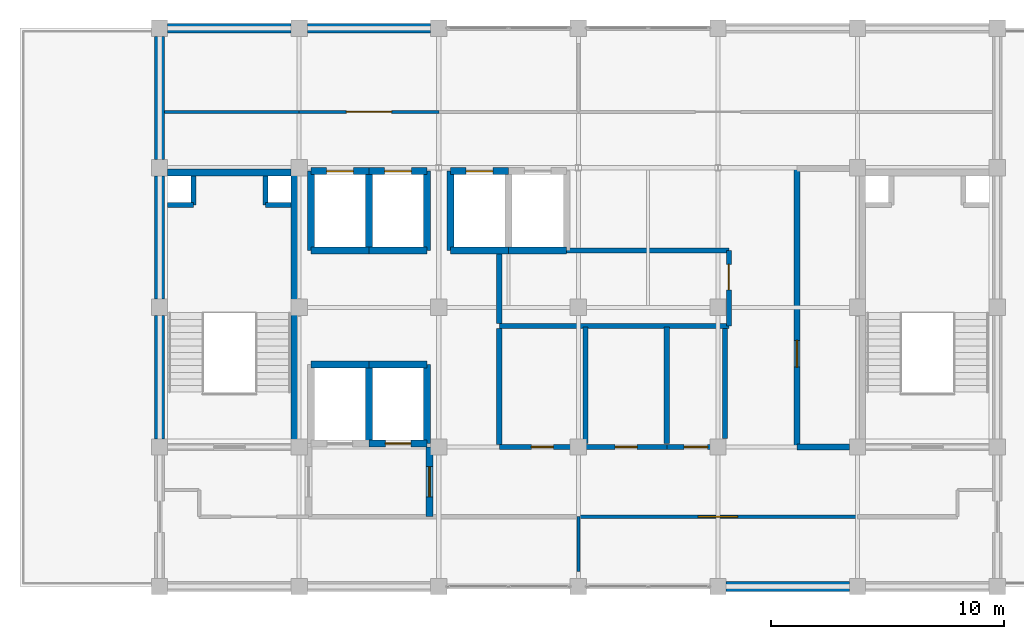
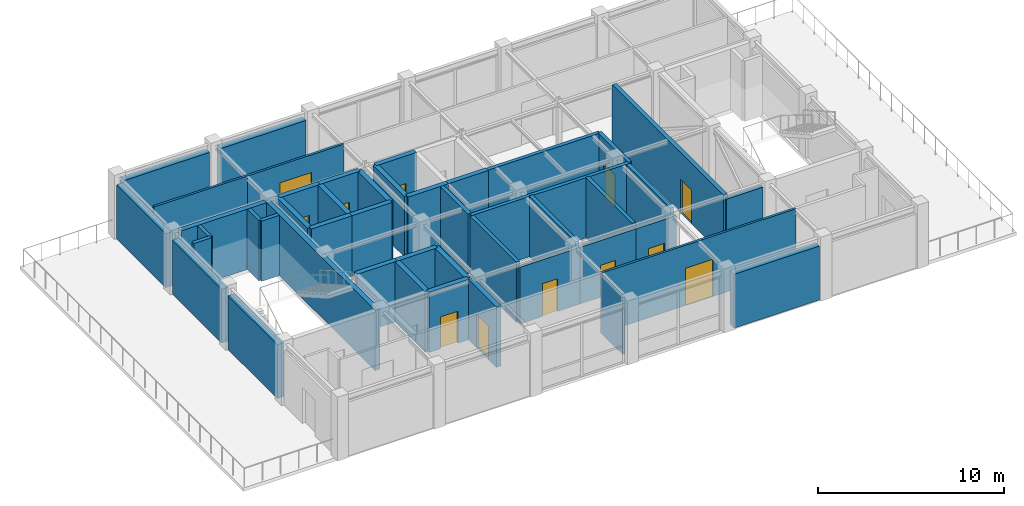
# One storey, part 12 of 14: 46 walls, 12 doors, 12 openings.
"""IFC4 building model written with IfcOpenShell, lengths in metres."""

from ifc_helpers import new_model, si_unit, direction, frame, frame_2d, origin, place, context, subcontext, project, spatial, rectangle, extrude, material, layer, layer_set, type_object, element, fill, save


model = new_model("IFC4")

# Units and contexts
model_context = context("Model", 3, precision=1e-05, world=origin(), true_north=direction((0.0, 1.0)))
body_context = subcontext(model_context, "Body", "Model", "MODEL_VIEW")
ifc_project = project(units=[si_unit("LENGTHUNIT", "METRE"), si_unit("AREAUNIT", "SQUARE_METRE"), si_unit("VOLUMEUNIT", "CUBIC_METRE"), si_unit("PLANEANGLEUNIT", "RADIAN"), si_unit("MASSUNIT", "GRAM", prefix="KILO")], contexts=[model_context])

# Site, building, storey
site_placement = place(None, origin())
site = spatial("IfcSite", under=ifc_project, at=site_placement, CompositionType="ELEMENT")
building_placement = place(site_placement, origin())
building = spatial("IfcBuilding", under=site, at=building_placement, Name="Zlatovratsky Civic Hall", CompositionType="ELEMENT")
storey_placement = place(building_placement, frame((0.0, 0.0, 67.800048828125)))
storey = spatial("IfcBuildingStorey", under=building, at=storey_placement, Name="L17", CompositionType="ELEMENT", Elevation=67.800048828125)

# Wall, opening, door
ifc_material_1 = material(Name="Acoustic ceramic blockwork", Category="masonry")
ifc_layer_1 = layer(ifc_material_1, 0.260009765625)
ifc_layer_set_1 = layer_set([ifc_layer_1], Name="Acoustic ceramic blockwork")
wall_type_1 = type_object("IfcWallType", Name="Wall_ArchiveCompartment_260", PredefinedType="PARTITIONING", material=ifc_layer_set_1)
wall_1_placement = place(storey_placement, frame((93.39990234375, 84.0, 0.0), z_axis=(0.0, 0.0, 1.0), x_axis=(0.0, 1.0, 0.0)))
wall_1 = element("IfcWall", 1, at=wall_1_placement, inside=storey, type_object=wall_type_1, Name="WL-6780", PredefinedType="PARTITIONING", context=body_context, shape_type="SweptSolid", body=[
    extrude(rectangle(XDim=11.9599609375, YDim=0.260009765625, at=frame_2d((5.97998046875, 0.0))), origin(), (0.0, 0.0, 1.0), 3.9599609375),
])
opening_1_placement = place(wall_1_placement, frame((3.425048828125, 0.0, 0.0)))
opening_1 = element("IfcOpeningElement", 2, at=opening_1_placement, cuts=wall_1, Name="Opening D-31", PredefinedType="OPENING", context=body_context, shape_type="SweptSolid", body=[
    extrude(rectangle(XDim=1.14990234375, YDim=2.199951171875, at=frame_2d((0.574951171875, 1.10009765625))), frame((0.0, 0.14501953125, 0.0), z_axis=(0.0, -1.0, 0.0), x_axis=(1.0, 0.0, 0.0)), (0.0, 0.0, 1.0), 0.289794921875),
])
ifc_material_2 = material(Name="Insulated painted fire-rated steel leaf", Category="steel")
door_type_1 = type_object("IfcDoorType", Name="Door_RecordsVault_1150x2200", OperationType="NOTDEFINED", PredefinedType="DOOR", material=ifc_material_2)
door_1_placement = place(opening_1_placement, origin())
door_1 = element("IfcDoor", 3, at=door_1_placement, inside=storey, type_object=door_type_1, Name="DR-5555", OperationType="SINGLE_SWING_LEFT", OverallHeight=2.199951171875, OverallWidth=1.14990234375, PredefinedType="DOOR", context=body_context, shape_type="SweptSolid", body=[
    extrude(rectangle(XDim=1.14990234375, YDim=2.199951171875, at=frame_2d((0.574951171875, 1.10009765625))), frame((0.0, 0.02490234375, 0.0), z_axis=(0.0, -1.0, 0.0), x_axis=(1.0, 0.0, 0.0)), (0.0, 0.0, 1.0), 0.050048828125),
])
fill(opening_1, door_1)

# Wall
wall_2_placement = place(storey_placement, frame((93.39990234375, 84.0, 0.0), z_axis=(0.0, 0.0, 1.0), x_axis=(1.0, 0.0, 0.0)))
element("IfcWall", 4, at=wall_2_placement, inside=storey, type_object=wall_type_1, Name="WL-6781", PredefinedType="PARTITIONING", context=body_context, shape_type="SweptSolid", body=[
    extrude(rectangle(XDim=2.25, YDim=0.260009765625, at=frame_2d((1.125, 0.0))), origin(), (0.0, 0.0, 1.0), 3.716064453125),
])

# Wall, opening, door
ifc_material_3 = material(Name="Fire-rated gypsum board framing", Category="gypsum")
ifc_layer_2 = layer(ifc_material_3, 0.139892578125)
ifc_layer_set_2 = layer_set([ifc_layer_2], Name="Fire-rated gypsum board framing")
wall_type_2 = type_object("IfcWallType", Name="Wall_OfficePartition_140", PredefinedType="PARTITIONING", material=ifc_layer_set_2)
wall_3_placement = place(storey_placement, frame((84.0, 81.0, 0.0), z_axis=(0.0, 0.0, 1.0), x_axis=(1.0, 0.0, 0.0)))
wall_3 = element("IfcWall", 5, at=wall_3_placement, inside=storey, type_object=wall_type_2, Name="WL-6793", PredefinedType="PARTITIONING", context=body_context, shape_type="SweptSolid", body=[
    extrude(rectangle(XDim=12.0, YDim=0.139892578125, at=frame_2d((6.0, 0.0))), origin(), (0.0, 0.0, 1.0), 3.9599609375),
])
opening_2_placement = place(wall_3_placement, frame((5.14990234375, 0.0, 0.0)))
opening_2 = element("IfcOpeningElement", 6, at=opening_2_placement, cuts=wall_3, Name="Opening D-26", PredefinedType="OPENING", context=body_context, shape_type="SweptSolid", body=[
    extrude(rectangle(XDim=1.699951171875, YDim=2.449951171875, at=frame_2d((0.85009765625, 1.22509765625))), frame((0.0, 0.0849609375, 0.0), z_axis=(0.0, -1.0, 0.0), x_axis=(1.0, 0.0, 0.0)), (0.0, 0.0, 1.0), 0.169677734375),
])
ifc_material_4 = material(Name="Solid oak joinery in steel frame", Category="steel")
door_type_2 = type_object("IfcDoorType", Name="Door_CommissionBoardroom_1700x2450", OperationType="DOUBLE_DOOR_SINGLE_SWING", PredefinedType="DOOR", material=ifc_material_4)
door_2_placement = place(opening_2_placement, origin())
door_2 = element("IfcDoor", 7, at=door_2_placement, inside=storey, type_object=door_type_2, Name="DR-5563", OperationType="DOUBLE_DOOR_SINGLE_SWING", OverallHeight=2.449951171875, OverallWidth=1.699951171875, PredefinedType="DOOR", context=body_context, shape_type="SweptSolid", body=[
    extrude(rectangle(XDim=1.699951171875, YDim=2.449951171875, at=frame_2d((0.85009765625, 1.22509765625))), frame((0.0, 0.02490234375, 0.0), z_axis=(0.0, -1.0, 0.0), x_axis=(1.0, 0.0, 0.0)), (0.0, 0.0, 1.0), 0.050048828125),
])
fill(opening_2, door_2)

wall_4_placement = place(storey_placement, frame((72.0, 98.39990234375, 0.0), z_axis=(0.0, 0.0, 1.0), x_axis=(1.0, 0.0, 0.0)))
wall_4 = element("IfcWall", 8, at=wall_4_placement, inside=storey, type_object=wall_type_2, Name="WL-6794", PredefinedType="PARTITIONING", context=body_context, shape_type="SweptSolid", body=[
    extrude(rectangle(XDim=6.0, YDim=0.139892578125, at=frame_2d((3.0, 0.0))), origin(), (0.0, 0.0, 1.0), 3.9599609375),
])
opening_3_placement = place(wall_4_placement, frame((2.02490234375, 0.0, 0.0)))
opening_3 = element("IfcOpeningElement", 9, at=opening_3_placement, cuts=wall_4, Name="Opening D-27", PredefinedType="OPENING", context=body_context, shape_type="SweptSolid", body=[
    extrude(rectangle(XDim=1.949951171875, YDim=2.800048828125, at=frame_2d((0.97509765625, 1.39990234375))), frame((0.0, 0.0849609375, 0.0), z_axis=(0.0, -1.0, 0.0), x_axis=(1.0, 0.0, 0.0)), (0.0, 0.0, 1.0), 0.169677734375),
])
door_type_3 = type_object("IfcDoorType", Name="Door_MayoralCabinet_1950x2800", OperationType="DOUBLE_DOOR_SINGLE_SWING", PredefinedType="DOOR", material=ifc_material_4)
door_3_placement = place(opening_3_placement, origin())
door_3 = element("IfcDoor", 10, at=door_3_placement, inside=storey, type_object=door_type_3, Name="DR-5564", OperationType="DOUBLE_DOOR_SINGLE_SWING", OverallHeight=2.800048828125, OverallWidth=1.949951171875, PredefinedType="DOOR", context=body_context, shape_type="SweptSolid", body=[
    extrude(rectangle(XDim=1.949951171875, YDim=2.800048828125, at=frame_2d((0.97509765625, 1.39990234375))), frame((0.0, 0.02490234375, 0.0), z_axis=(0.0, -1.0, 0.0), x_axis=(1.0, 0.0, 0.0)), (0.0, 0.0, 1.0), 0.050048828125),
])
fill(opening_3, door_3)

# Walls
wall_5_placement = place(storey_placement, frame((84.0, 78.64990234375, 0.0), z_axis=(0.0, 0.0, 1.0), x_axis=(0.0, 1.0, 0.0)))
element("IfcWall", 11, at=wall_5_placement, inside=storey, type_object=wall_type_2, Name="WL-6796", PredefinedType="PARTITIONING", context=body_context, shape_type="SweptSolid", body=[
    extrude(rectangle(XDim=2.35009765625, YDim=0.139892578125, at=frame_2d((1.175048828125, 0.0))), origin(), (0.0, 0.0, 1.0), 3.716064453125),
])
wall_6_placement = place(storey_placement, frame((66.2099609375, 98.39990234375, 0.0), z_axis=(0.0, 0.0, 1.0), x_axis=(1.0, 0.0, 0.0)))
element("IfcWall", 12, at=wall_6_placement, inside=storey, type_object=wall_type_2, Name="WL-6808", PredefinedType="PARTITIONING", context=body_context, shape_type="SweptSolid", body=[
    extrude(rectangle(XDim=5.7900390625, YDim=0.139892578125, at=frame_2d((2.89501953125, 0.0))), origin(), (0.0, 0.0, 1.0), 3.9599609375),
])
ifc_layer_3 = layer(ifc_material_1, 0.219970703125)
ifc_layer_set_3 = layer_set([ifc_layer_3], Name="Acoustic ceramic blockwork")
wall_type_3 = type_object("IfcWallType", Name="Wall_SanitaryWetCore_220", PredefinedType="PARTITIONING", material=ifc_layer_set_3)
wall_7_placement = place(storey_placement, frame((67.449951171875, 94.39990234375, 0.0), z_axis=(0.0, 0.0, 1.0), x_axis=(0.0, 1.0, 0.0)))
element("IfcWall", 13, at=wall_7_placement, inside=storey, type_object=wall_type_3, Name="WL-5140", PredefinedType="PARTITIONING", context=body_context, shape_type="SweptSolid", body=[
    extrude(rectangle(XDim=1.25, YDim=0.219970703125, at=frame_2d((0.625, 0.0))), origin(), (0.0, 0.0, 1.0), 3.9599609375),
])
wall_8_placement = place(storey_placement, frame((66.35009765625, 94.39990234375, 0.0), z_axis=(0.0, 0.0, 1.0), x_axis=(1.0, 0.0, 0.0)))
element("IfcWall", 14, at=wall_8_placement, inside=storey, type_object=wall_type_3, Name="WL-5141", PredefinedType="PARTITIONING", context=body_context, shape_type="SweptSolid", body=[
    extrude(rectangle(XDim=1.099853515625, YDim=0.219970703125, at=frame_2d((0.5498046875, 0.0))), origin(), (0.0, 0.0, 1.0), 3.9599609375),
])
wall_9_placement = place(storey_placement, frame((70.550048828125, 94.39990234375, 0.0), z_axis=(0.0, 0.0, 1.0), x_axis=(0.0, 1.0, 0.0)))
element("IfcWall", 15, at=wall_9_placement, inside=storey, type_object=wall_type_3, Name="WL-5142", PredefinedType="PARTITIONING", context=body_context, shape_type="SweptSolid", body=[
    extrude(rectangle(XDim=1.25, YDim=0.219970703125, at=frame_2d((0.625, 0.0))), origin(), (0.0, 0.0, 1.0), 3.9599609375),
])
wall_10_placement = place(storey_placement, frame((70.550048828125, 94.39990234375, 0.0), z_axis=(0.0, 0.0, 1.0), x_axis=(1.0, 0.0, 0.0)))
element("IfcWall", 16, at=wall_10_placement, inside=storey, type_object=wall_type_3, Name="WL-5143", PredefinedType="PARTITIONING", context=body_context, shape_type="SweptSolid", body=[
    extrude(rectangle(XDim=1.099853515625, YDim=0.219970703125, at=frame_2d((0.5498046875, 0.0))), origin(), (0.0, 0.0, 1.0), 3.9599609375),
])

# Wall, opening, door
wall_11_placement = place(storey_placement, frame((80.60009765625, 84.0, 0.0), z_axis=(0.0, 0.0, 1.0), x_axis=(1.0, 0.0, 0.0)))
wall_11 = element("IfcWall", 17, at=wall_11_placement, inside=storey, type_object=wall_type_3, Name="WL-6785", PredefinedType="PARTITIONING", context=body_context, shape_type="SweptSolid", body=[
    extrude(rectangle(XDim=3.699951171875, YDim=0.219970703125, at=frame_2d((1.85009765625, 0.0))), origin(), (0.0, 0.0, 1.0), 3.716064453125),
])
opening_4_placement = place(wall_11_placement, frame((1.375, 0.0, 0.0)))
opening_4 = element("IfcOpeningElement", 18, at=opening_4_placement, cuts=wall_11, Name="Opening D-21", PredefinedType="OPENING", context=body_context, shape_type="SweptSolid", body=[
    extrude(rectangle(XDim=0.949951171875, YDim=2.14990234375, at=frame_2d((0.47509765625, 1.074951171875))), frame((0.0, 0.125, 0.0), z_axis=(0.0, -1.0, 0.0), x_axis=(1.0, 0.0, 0.0)), (0.0, 0.0, 1.0), 0.249755859375),
])
door_type_4 = type_object("IfcDoorType", Name="Door_MensWC_950x2150", OperationType="NOTDEFINED", PredefinedType="DOOR", material=ifc_material_4)
door_4_placement = place(opening_4_placement, origin())
door_4 = element("IfcDoor", 19, at=door_4_placement, inside=storey, type_object=door_type_4, Name="DR-5558", OperationType="SINGLE_SWING_LEFT", OverallHeight=2.14990234375, OverallWidth=0.949951171875, PredefinedType="DOOR", context=body_context, shape_type="SweptSolid", body=[
    extrude(rectangle(XDim=0.949951171875, YDim=2.14990234375, at=frame_2d((0.47509765625, 1.074951171875))), frame((0.0, 0.02490234375, 0.0), z_axis=(0.0, -1.0, 0.0), x_axis=(1.0, 0.0, 0.0)), (0.0, 0.0, 1.0), 0.050048828125),
])
fill(opening_4, door_4)

wall_12_placement = place(storey_placement, frame((84.300048828125, 84.0, 0.0), z_axis=(0.0, 0.0, 1.0), x_axis=(1.0, 0.0, 0.0)))
wall_12 = element("IfcWall", 20, at=wall_12_placement, inside=storey, type_object=wall_type_3, Name="WL-6786", PredefinedType="PARTITIONING", context=body_context, shape_type="SweptSolid", body=[
    extrude(rectangle(XDim=3.5, YDim=0.219970703125, at=frame_2d((1.75, 0.0))), origin(), (0.0, 0.0, 1.0), 3.716064453125),
])
opening_5_placement = place(wall_12_placement, frame((1.27490234375, 0.0, 0.0)))
opening_5 = element("IfcOpeningElement", 21, at=opening_5_placement, cuts=wall_12, Name="Opening D-22", PredefinedType="OPENING", context=body_context, shape_type="SweptSolid", body=[
    extrude(rectangle(XDim=0.949951171875, YDim=2.10009765625, at=frame_2d((0.47509765625, 1.050048828125))), frame((0.0, 0.125, 0.0), z_axis=(0.0, -1.0, 0.0), x_axis=(1.0, 0.0, 0.0)), (0.0, 0.0, 1.0), 0.249755859375),
])
door_type_5 = type_object("IfcDoorType", Name="Door_WomensWC_950x2100", OperationType="NOTDEFINED", PredefinedType="DOOR", material=ifc_material_4)
door_5_placement = place(opening_5_placement, origin())
door_5 = element("IfcDoor", 22, at=door_5_placement, inside=storey, type_object=door_type_5, Name="DR-5559", OperationType="SINGLE_SWING_RIGHT", OverallHeight=2.10009765625, OverallWidth=0.949951171875, PredefinedType="DOOR", context=body_context, shape_type="SweptSolid", body=[
    extrude(rectangle(XDim=0.949951171875, YDim=2.10009765625, at=frame_2d((0.47509765625, 1.050048828125))), frame((0.0, 0.02490234375, 0.0), z_axis=(0.0, -1.0, 0.0), x_axis=(1.0, 0.0, 0.0)), (0.0, 0.0, 1.0), 0.050048828125),
])
fill(opening_5, door_5)

wall_13_placement = place(storey_placement, frame((87.800048828125, 84.0, 0.0), z_axis=(0.0, 0.0, 1.0), x_axis=(1.0, 0.0, 0.0)))
wall_13 = element("IfcWall", 23, at=wall_13_placement, inside=storey, type_object=wall_type_3, Name="WL-6787", PredefinedType="PARTITIONING", context=body_context, shape_type="SweptSolid", body=[
    extrude(rectangle(XDim=2.5, YDim=0.219970703125, at=frame_2d((1.25, 0.0))), origin(), (0.0, 0.0, 1.0), 3.716064453125),
])
opening_6_placement = place(wall_13_placement, frame((0.75, 0.0, 0.0)))
opening_6 = element("IfcOpeningElement", 24, at=opening_6_placement, cuts=wall_13, Name="Opening D-20", PredefinedType="OPENING", context=body_context, shape_type="SweptSolid", body=[
    extrude(rectangle(XDim=1.0, YDim=2.14990234375, at=frame_2d((0.5, 1.074951171875))), frame((0.0, 0.125, 0.0), z_axis=(0.0, -1.0, 0.0), x_axis=(1.0, 0.0, 0.0)), (0.0, 0.0, 1.0), 0.249755859375),
])
door_type_6 = type_object("IfcDoorType", Name="Door_AccessibleWC_1000x2150", OperationType="NOTDEFINED", PredefinedType="DOOR", material=ifc_material_4)
door_6_placement = place(opening_6_placement, origin())
door_6 = element("IfcDoor", 25, at=door_6_placement, inside=storey, type_object=door_type_6, Name="DR-5560", OperationType="SINGLE_SWING_LEFT", OverallHeight=2.14990234375, OverallWidth=1.0, PredefinedType="DOOR", context=body_context, shape_type="SweptSolid", body=[
    extrude(rectangle(XDim=1.0, YDim=2.14990234375, at=frame_2d((0.5, 1.074951171875))), frame((0.0, 0.02490234375, 0.0), z_axis=(0.0, -1.0, 0.0), x_axis=(1.0, 0.0, 0.0)), (0.0, 0.0, 1.0), 0.050048828125),
])
fill(opening_6, door_6)

# Walls
for number, where, z_axis, x_axis, name in (
    (26, (84.300048828125, 84.14990234375, 0.0), (0.0, 0.0, 1.0), (0.0, 1.0, 0.0), "WL-6788"),
    (27, (87.800048828125, 84.14990234375, 0.0), (0.0, 0.0, 1.0), (0.0, 1.0, 0.0), "WL-6789"),
):
    element("IfcWall", number, at=place(storey_placement, frame(where, z_axis=z_axis, x_axis=x_axis)), inside=storey, type_object=wall_type_3, Name=name, PredefinedType="PARTITIONING", context=body_context, shape_type="SweptSolid", body=[
        extrude(rectangle(XDim=5.0, YDim=0.219970703125, at=frame_2d((2.5, 0.0))), origin(), (0.0, 0.0, 1.0), 3.9599609375),
    ])
wall_14_placement = place(storey_placement, frame((80.60009765625, 89.199951171875, 0.0), z_axis=(0.0, 0.0, 1.0), x_axis=(1.0, 0.0, 0.0)))
element("IfcWall", 28, at=wall_14_placement, inside=storey, type_object=wall_type_3, Name="WL-6790", PredefinedType="PARTITIONING", context=body_context, shape_type="SweptSolid", body=[
    extrude(rectangle(XDim=9.869873046875, YDim=0.219970703125, at=frame_2d((4.93505859375, 0.0))), origin(), (0.0, 0.0, 1.0), 3.9599609375),
])

# Wall, opening, door
wall_15_placement = place(storey_placement, frame((90.469970703125, 89.199951171875, 0.0), z_axis=(0.0, 0.0, 1.0), x_axis=(0.0, 1.0, 0.0)))
wall_15 = element("IfcWall", 29, at=wall_15_placement, inside=storey, type_object=wall_type_3, Name="WL-6791", PredefinedType="PARTITIONING", context=body_context, shape_type="SweptSolid", body=[
    extrude(rectangle(XDim=3.25, YDim=0.219970703125, at=frame_2d((1.625, 0.0))), origin(), (0.0, 0.0, 1.0), 3.9599609375),
])
opening_7_placement = place(wall_15_placement, frame((1.550048828125, 0.0, 0.0)))
opening_7 = element("IfcOpeningElement", 30, at=opening_7_placement, cuts=wall_15, Name="Opening D-30", PredefinedType="OPENING", context=body_context, shape_type="SweptSolid", body=[
    extrude(rectangle(XDim=1.10009765625, YDim=2.14990234375, at=frame_2d((0.550048828125, 1.074951171875))), frame((0.0, 0.125, 0.0), z_axis=(0.0, -1.0, 0.0), x_axis=(1.0, 0.0, 0.0)), (0.0, 0.0, 1.0), 0.249755859375),
])
door_type_7 = type_object("IfcDoorType", Name="Door_ElectricalRoom_1100x2150", OperationType="NOTDEFINED", PredefinedType="DOOR", material=ifc_material_2)
door_7_placement = place(opening_7_placement, origin())
door_7 = element("IfcDoor", 31, at=door_7_placement, inside=storey, type_object=door_type_7, Name="DR-5561", OperationType="SINGLE_SWING_RIGHT", OverallHeight=2.14990234375, OverallWidth=1.10009765625, PredefinedType="DOOR", context=body_context, shape_type="SweptSolid", body=[
    extrude(rectangle(XDim=1.10009765625, YDim=2.14990234375, at=frame_2d((0.550048828125, 1.074951171875))), frame((0.0, 0.02490234375, 0.0), z_axis=(0.0, -1.0, 0.0), x_axis=(1.0, 0.0, 0.0)), (0.0, 0.0, 1.0), 0.050048828125),
])
fill(opening_7, door_7)

# Walls
wall_16_placement = place(storey_placement, frame((80.60009765625, 84.110107421875, 0.0), z_axis=(0.0, 0.0, 1.0), x_axis=(0.0, 1.0, 0.0)))
element("IfcWall", 32, at=wall_16_placement, inside=storey, type_object=wall_type_3, Name="WL-6798", PredefinedType="PARTITIONING", context=body_context, shape_type="SweptSolid", body=[
    extrude(rectangle(XDim=4.97998046875, YDim=0.219970703125, at=frame_2d((2.489990234375, 0.0))), origin(), (0.0, 0.0, 1.0), 3.9599609375),
])
wall_17_placement = place(storey_placement, frame((90.300048828125, 84.360107421875, 0.0), z_axis=(0.0, 0.0, 1.0), x_axis=(0.0, 1.0, 0.0)))
element("IfcWall", 33, at=wall_17_placement, inside=storey, type_object=wall_type_3, Name="WL-6799", PredefinedType="PARTITIONING", context=body_context, shape_type="SweptSolid", body=[
    extrude(rectangle(XDim=4.72998046875, YDim=0.219970703125, at=frame_2d((2.364990234375, 0.0))), origin(), (0.0, 0.0, 1.0), 3.9599609375),
])
wall_18_placement = place(storey_placement, frame((80.60009765625, 89.31005859375, 0.0), z_axis=(0.0, 0.0, 1.0), x_axis=(0.0, 1.0, 0.0)))
element("IfcWall", 34, at=wall_18_placement, inside=storey, type_object=wall_type_3, Name="WL-6800", PredefinedType="PARTITIONING", context=body_context, shape_type="SweptSolid", body=[
    extrude(rectangle(XDim=2.989990234375, YDim=0.219970703125, at=frame_2d((1.4951171875, 0.0))), origin(), (0.0, 0.0, 1.0), 3.9599609375),
])
wall_19_placement = place(storey_placement, frame((83.5, 92.449951171875, 0.0), z_axis=(0.0, 0.0, 1.0), x_axis=(1.0, 0.0, 0.0)))
element("IfcWall", 35, at=wall_19_placement, inside=storey, type_object=wall_type_3, Name="WL-6801", PredefinedType="PARTITIONING", context=body_context, shape_type="SweptSolid", body=[
    extrude(rectangle(XDim=6.969970703125, YDim=0.219970703125, at=frame_2d((3.48486328125, 0.0))), origin(), (0.0, 0.0, 1.0), 3.9599609375),
])
ifc_material_5 = material(Name="Concrete C35/45 (B40)", Category="concrete")
ifc_layer_4 = layer(ifc_material_5, 0.300048828125)
ifc_layer_set_4 = layer_set([ifc_layer_4], Name="Concrete C35/45 (B40)")
wall_type_4 = type_object("IfcWallType", Name="Wall_StairAndLiftShaft_300", PredefinedType="SHEAR", material=ifc_layer_set_4)
wall_20_placement = place(storey_placement, frame((66.35009765625, 95.800048828125, 0.0), z_axis=(0.0, 0.0, 1.0), x_axis=(1.0, 0.0, 0.0)))
element("IfcWall", 36, at=wall_20_placement, inside=storey, type_object=wall_type_4, Name="WL-5138", PredefinedType="SHEAR", context=body_context, shape_type="SweptSolid", body=[
    extrude(rectangle(XDim=5.2998046875, YDim=0.300048828125, at=frame_2d((2.64990234375, 0.0))), origin(), (0.0, 0.0, 1.0), 3.9599609375),
])
wall_21_placement = place(storey_placement, frame((71.800048828125, 84.0, 0.0), z_axis=(0.0, 0.0, 1.0), x_axis=(0.0, 1.0, 0.0)))
element("IfcWall", 37, at=wall_21_placement, inside=storey, type_object=wall_type_4, Name="WL-5139", PredefinedType="SHEAR", context=body_context, shape_type="SweptSolid", body=[
    extrude(rectangle(XDim=11.800048828125, YDim=0.300048828125, at=frame_2d((5.89990234375, 0.0))), origin(), (0.0, 0.0, 1.0), 3.9599609375),
])
wall_22_placement = place(storey_placement, frame((72.5, 87.550048828125, 0.0), z_axis=(0.0, 0.0, 1.0), x_axis=(1.0, 0.0, 0.0)))
element("IfcWall", 38, at=wall_22_placement, inside=storey, type_object=wall_type_4, Name="WL-5545", PredefinedType="SHEAR", context=body_context, shape_type="SweptSolid", body=[
    extrude(rectangle(XDim=2.5, YDim=0.300048828125, at=frame_2d((1.25, 0.0))), origin(), (0.0, 0.0, 1.0), 3.9599609375),
])

# Wall, opening, door
wall_23_placement = place(storey_placement, frame((75.0, 84.14990234375, 0.0), z_axis=(0.0, 0.0, 1.0), x_axis=(1.0, 0.0, 0.0)))
wall_23 = element("IfcWall", 39, at=wall_23_placement, inside=storey, type_object=wall_type_4, Name="WL-5618", PredefinedType="SHEAR", context=body_context, shape_type="SweptSolid", body=[
    extrude(rectangle(XDim=2.5, YDim=0.300048828125, at=frame_2d((1.25, 0.0))), origin(), (0.0, 0.0, 1.0), 3.9599609375),
])
opening_8_placement = place(wall_23_placement, frame((0.699951171875, 0.0, 0.0)))
opening_8 = element("IfcOpeningElement", 40, at=opening_8_placement, cuts=wall_23, Name="Opening LD-01", PredefinedType="OPENING", context=body_context, shape_type="SweptSolid", body=[
    extrude(rectangle(XDim=1.10009765625, YDim=2.10009765625, at=frame_2d((0.550048828125, 1.050048828125))), frame((0.0, 0.1650390625, 0.0), z_axis=(0.0, -1.0, 0.0), x_axis=(1.0, 0.0, 0.0)), (0.0, 0.0, 1.0), 0.329833984375),
])
ifc_material_6 = material(Name="Brushed stainless steel AISI 304", Category="steel")
door_type_8 = type_object("IfcDoorType", Name="Door_LiftLandingFire_1100x2100", OperationType="DOUBLE_DOOR_SLIDING", PredefinedType="DOOR", material=ifc_material_6)
door_8_placement = place(opening_8_placement, origin())
door_8 = element("IfcDoor", 41, at=door_8_placement, inside=storey, type_object=door_type_8, Name="Lift landing door LD-5095", OperationType="DOUBLE_DOOR_SLIDING", OverallHeight=2.10009765625, OverallWidth=1.10009765625, PredefinedType="DOOR", context=body_context, shape_type="SweptSolid", body=[
    extrude(rectangle(XDim=1.10009765625, YDim=2.10009765625, at=frame_2d((0.550048828125, 1.050048828125))), frame((0.0, 0.02490234375, 0.0), z_axis=(0.0, -1.0, 0.0), x_axis=(1.0, 0.0, 0.0)), (0.0, 0.0, 1.0), 0.050048828125),
])
fill(opening_8, door_8)

# Walls
wall_24_placement = place(storey_placement, frame((75.0, 87.550048828125, 0.0), z_axis=(0.0, 0.0, 1.0), x_axis=(1.0, 0.0, 0.0)))
element("IfcWall", 42, at=wall_24_placement, inside=storey, type_object=wall_type_4, Name="WL-5619", PredefinedType="SHEAR", context=body_context, shape_type="SweptSolid", body=[
    extrude(rectangle(XDim=2.5, YDim=0.300048828125, at=frame_2d((1.25, 0.0))), origin(), (0.0, 0.0, 1.0), 3.9599609375),
])
for number, where, z_axis, x_axis, name in (
    (43, (75.0, 84.14990234375, 0.0), (0.0, 0.0, 1.0), (0.0, 1.0, 0.0), "WL-5620"),
    (44, (77.5, 84.14990234375, 0.0), (0.0, 0.0, 1.0), (0.0, 1.0, 0.0), "WL-5621"),
):
    element("IfcWall", number, at=place(storey_placement, frame(where, z_axis=z_axis, x_axis=x_axis)), inside=storey, type_object=wall_type_4, Name=name, PredefinedType="SHEAR", context=body_context, shape_type="SweptSolid", body=[
        extrude(rectangle(XDim=3.400146484375, YDim=0.300048828125, at=frame_2d((1.7001953125, 0.0))), origin(), (0.0, 0.0, 1.0), 3.9599609375),
    ])

# Wall, opening, door
wall_25_placement = place(storey_placement, frame((72.5, 95.85009765625, 0.0), z_axis=(0.0, 0.0, 1.0), x_axis=(1.0, 0.0, 0.0)))
wall_25 = element("IfcWall", 45, at=wall_25_placement, inside=storey, type_object=wall_type_4, Name="WL-5677", PredefinedType="SHEAR", context=body_context, shape_type="SweptSolid", body=[
    extrude(rectangle(XDim=2.5, YDim=0.300048828125, at=frame_2d((1.25, 0.0))), origin(), (0.0, 0.0, 1.0), 3.9599609375),
])
opening_9_placement = place(wall_25_placement, frame((0.675048828125, 0.0, 0.0)))
opening_9 = element("IfcOpeningElement", 46, at=opening_9_placement, cuts=wall_25, Name="Opening LD-02", PredefinedType="OPENING", context=body_context, shape_type="SweptSolid", body=[
    extrude(rectangle(XDim=1.14990234375, YDim=2.14990234375, at=frame_2d((0.574951171875, 1.074951171875))), frame((0.0, 0.1650390625, 0.0), z_axis=(0.0, -1.0, 0.0), x_axis=(1.0, 0.0, 0.0)), (0.0, 0.0, 1.0), 0.329833984375),
])
door_type_9 = type_object("IfcDoorType", Name="Door_LiftLandingHighRise_1150x2150", OperationType="DOUBLE_DOOR_SLIDING", PredefinedType="DOOR", material=ifc_material_6)
door_9_placement = place(opening_9_placement, origin())
door_9 = element("IfcDoor", 47, at=door_9_placement, inside=storey, type_object=door_type_9, Name="Lift landing door LD-5114", OperationType="DOUBLE_DOOR_SLIDING", OverallHeight=2.14990234375, OverallWidth=1.14990234375, PredefinedType="DOOR", context=body_context, shape_type="SweptSolid", body=[
    extrude(rectangle(XDim=1.14990234375, YDim=2.14990234375, at=frame_2d((0.574951171875, 1.074951171875))), frame((0.0, 0.02490234375, 0.0), z_axis=(0.0, -1.0, 0.0), x_axis=(1.0, 0.0, 0.0)), (0.0, 0.0, 1.0), 0.050048828125),
])
fill(opening_9, door_9)

# Walls
wall_26_placement = place(storey_placement, frame((72.5, 92.449951171875, 0.0), z_axis=(0.0, 0.0, 1.0), x_axis=(1.0, 0.0, 0.0)))
element("IfcWall", 48, at=wall_26_placement, inside=storey, type_object=wall_type_4, Name="WL-5678", PredefinedType="SHEAR", context=body_context, shape_type="SweptSolid", body=[
    extrude(rectangle(XDim=2.5, YDim=0.300048828125, at=frame_2d((1.25, 0.0))), origin(), (0.0, 0.0, 1.0), 3.9599609375),
])
wall_27_placement = place(storey_placement, frame((72.5, 92.449951171875, 0.0), z_axis=(0.0, 0.0, 1.0), x_axis=(0.0, 1.0, 0.0)))
element("IfcWall", 49, at=wall_27_placement, inside=storey, type_object=wall_type_4, Name="WL-5679", PredefinedType="SHEAR", context=body_context, shape_type="SweptSolid", body=[
    extrude(rectangle(XDim=3.400146484375, YDim=0.300048828125, at=frame_2d((1.7001953125, 0.0))), origin(), (0.0, 0.0, 1.0), 3.9599609375),
])

# Wall, opening, door
wall_28_placement = place(storey_placement, frame((75.0, 95.85009765625, 0.0), z_axis=(0.0, 0.0, 1.0), x_axis=(1.0, 0.0, 0.0)))
wall_28 = element("IfcWall", 50, at=wall_28_placement, inside=storey, type_object=wall_type_4, Name="WL-5751", PredefinedType="SHEAR", context=body_context, shape_type="SweptSolid", body=[
    extrude(rectangle(XDim=2.5, YDim=0.300048828125, at=frame_2d((1.25, 0.0))), origin(), (0.0, 0.0, 1.0), 3.9599609375),
])
opening_10_placement = place(wall_28_placement, frame((0.675048828125, 0.0, 0.0)))
opening_10 = element("IfcOpeningElement", 51, at=opening_10_placement, cuts=wall_28, Name="Opening LD-02", PredefinedType="OPENING", context=body_context, shape_type="SweptSolid", body=[
    extrude(rectangle(XDim=1.14990234375, YDim=2.14990234375, at=frame_2d((0.574951171875, 1.074951171875))), frame((0.0, 0.1650390625, 0.0), z_axis=(0.0, -1.0, 0.0), x_axis=(1.0, 0.0, 0.0)), (0.0, 0.0, 1.0), 0.329833984375),
])
door_10_placement = place(opening_10_placement, origin())
door_10 = element("IfcDoor", 52, at=door_10_placement, inside=storey, type_object=door_type_9, Name="Lift landing door LD-5133", OperationType="DOUBLE_DOOR_SLIDING", OverallHeight=2.14990234375, OverallWidth=1.14990234375, PredefinedType="DOOR", context=body_context, shape_type="SweptSolid", body=[
    extrude(rectangle(XDim=1.14990234375, YDim=2.14990234375, at=frame_2d((0.574951171875, 1.074951171875))), frame((0.0, 0.02490234375, 0.0), z_axis=(0.0, -1.0, 0.0), x_axis=(1.0, 0.0, 0.0)), (0.0, 0.0, 1.0), 0.050048828125),
])
fill(opening_10, door_10)

# Walls
wall_29_placement = place(storey_placement, frame((75.0, 92.449951171875, 0.0), z_axis=(0.0, 0.0, 1.0), x_axis=(1.0, 0.0, 0.0)))
element("IfcWall", 53, at=wall_29_placement, inside=storey, type_object=wall_type_4, Name="WL-5752", PredefinedType="SHEAR", context=body_context, shape_type="SweptSolid", body=[
    extrude(rectangle(XDim=2.5, YDim=0.300048828125, at=frame_2d((1.25, 0.0))), origin(), (0.0, 0.0, 1.0), 3.9599609375),
])
for number, where, z_axis, x_axis, name in (
    (54, (75.0, 92.449951171875, 0.0), (0.0, 0.0, 1.0), (0.0, 1.0, 0.0), "WL-5753"),
    (55, (77.5, 92.449951171875, 0.0), (0.0, 0.0, 1.0), (0.0, 1.0, 0.0), "WL-5754"),
):
    element("IfcWall", number, at=place(storey_placement, frame(where, z_axis=z_axis, x_axis=x_axis)), inside=storey, type_object=wall_type_4, Name=name, PredefinedType="SHEAR", context=body_context, shape_type="SweptSolid", body=[
        extrude(rectangle(XDim=3.400146484375, YDim=0.300048828125, at=frame_2d((1.7001953125, 0.0))), origin(), (0.0, 0.0, 1.0), 3.9599609375),
    ])

# Wall, opening, door
wall_30_placement = place(storey_placement, frame((78.5, 95.85009765625, 0.0), z_axis=(0.0, 0.0, 1.0), x_axis=(1.0, 0.0, 0.0)))
wall_30 = element("IfcWall", 56, at=wall_30_placement, inside=storey, type_object=wall_type_4, Name="WL-5810", PredefinedType="SHEAR", context=body_context, shape_type="SweptSolid", body=[
    extrude(rectangle(XDim=2.5, YDim=0.300048828125, at=frame_2d((1.25, 0.0))), origin(), (0.0, 0.0, 1.0), 3.9599609375),
])
opening_11_placement = place(wall_30_placement, frame((0.675048828125, 0.0, 0.0)))
opening_11 = element("IfcOpeningElement", 57, at=opening_11_placement, cuts=wall_30, Name="Opening LD-02", PredefinedType="OPENING", context=body_context, shape_type="SweptSolid", body=[
    extrude(rectangle(XDim=1.14990234375, YDim=2.14990234375, at=frame_2d((0.574951171875, 1.074951171875))), frame((0.0, 0.1650390625, 0.0), z_axis=(0.0, -1.0, 0.0), x_axis=(1.0, 0.0, 0.0)), (0.0, 0.0, 1.0), 0.329833984375),
])
door_11_placement = place(opening_11_placement, origin())
door_11 = element("IfcDoor", 58, at=door_11_placement, inside=storey, type_object=door_type_9, Name="Lift landing door LD-5152", OperationType="DOUBLE_DOOR_SLIDING", OverallHeight=2.14990234375, OverallWidth=1.14990234375, PredefinedType="DOOR", context=body_context, shape_type="SweptSolid", body=[
    extrude(rectangle(XDim=1.14990234375, YDim=2.14990234375, at=frame_2d((0.574951171875, 1.074951171875))), frame((0.0, 0.02490234375, 0.0), z_axis=(0.0, -1.0, 0.0), x_axis=(1.0, 0.0, 0.0)), (0.0, 0.0, 1.0), 0.050048828125),
])
fill(opening_11, door_11)

# Walls
wall_31_placement = place(storey_placement, frame((78.5, 92.449951171875, 0.0), z_axis=(0.0, 0.0, 1.0), x_axis=(1.0, 0.0, 0.0)))
element("IfcWall", 59, at=wall_31_placement, inside=storey, type_object=wall_type_4, Name="WL-5811", PredefinedType="SHEAR", context=body_context, shape_type="SweptSolid", body=[
    extrude(rectangle(XDim=2.5, YDim=0.300048828125, at=frame_2d((1.25, 0.0))), origin(), (0.0, 0.0, 1.0), 3.9599609375),
])
wall_32_placement = place(storey_placement, frame((78.5, 92.449951171875, 0.0), z_axis=(0.0, 0.0, 1.0), x_axis=(0.0, 1.0, 0.0)))
element("IfcWall", 60, at=wall_32_placement, inside=storey, type_object=wall_type_4, Name="WL-5812", PredefinedType="SHEAR", context=body_context, shape_type="SweptSolid", body=[
    extrude(rectangle(XDim=3.400146484375, YDim=0.300048828125, at=frame_2d((1.7001953125, 0.0))), origin(), (0.0, 0.0, 1.0), 3.9599609375),
])
wall_33_placement = place(storey_placement, frame((81.0, 92.449951171875, 0.0), z_axis=(0.0, 0.0, 1.0), x_axis=(1.0, 0.0, 0.0)))
element("IfcWall", 61, at=wall_33_placement, inside=storey, type_object=wall_type_4, Name="WL-5885", PredefinedType="SHEAR", context=body_context, shape_type="SweptSolid", body=[
    extrude(rectangle(XDim=2.5, YDim=0.300048828125, at=frame_2d((1.25, 0.0))), origin(), (0.0, 0.0, 1.0), 3.9599609375),
])

# Wall, opening, door
wall_34_placement = place(storey_placement, frame((77.60009765625, 81.0, 0.0), z_axis=(0.0, 0.0, 1.0), x_axis=(0.0, 1.0, 0.0)))
wall_34 = element("IfcWall", 62, at=wall_34_placement, inside=storey, type_object=wall_type_4, Name="WL-6784", PredefinedType="SHEAR", context=body_context, shape_type="SweptSolid", body=[
    extrude(rectangle(XDim=3.0, YDim=0.300048828125, at=frame_2d((1.5, 0.0))), origin(), (0.0, 0.0, 1.0), 3.9599609375),
])
opening_12_placement = place(wall_34_placement, frame((0.85009765625, 0.0, 0.0)))
opening_12 = element("IfcOpeningElement", 63, at=opening_12_placement, cuts=wall_34, Name="Opening D-18", PredefinedType="OPENING", context=body_context, shape_type="SweptSolid", body=[
    extrude(rectangle(XDim=1.300048828125, YDim=2.199951171875, at=frame_2d((0.64990234375, 1.10009765625))), frame((0.0, 0.1650390625, 0.0), z_axis=(0.0, -1.0, 0.0), x_axis=(1.0, 0.0, 0.0)), (0.0, 0.0, 1.0), 0.329833984375),
])
door_type_10 = type_object("IfcDoorType", Name="Door_FireLobbyAirlock_1300x2200", OperationType="NOTDEFINED", PredefinedType="DOOR", material=ifc_material_2)
door_12_placement = place(opening_12_placement, origin())
door_12 = element("IfcDoor", 64, at=door_12_placement, inside=storey, type_object=door_type_10, Name="DR-5557", OperationType="SINGLE_SWING_RIGHT", OverallHeight=2.199951171875, OverallWidth=1.300048828125, PredefinedType="DOOR", context=body_context, shape_type="SweptSolid", body=[
    extrude(rectangle(XDim=1.300048828125, YDim=2.199951171875, at=frame_2d((0.64990234375, 1.10009765625))), frame((0.0, 0.02490234375, 0.0), z_axis=(0.0, -1.0, 0.0), x_axis=(1.0, 0.0, 0.0)), (0.0, 0.0, 1.0), 0.050048828125),
])
fill(opening_12, door_12)

# Walls
ifc_layer_5 = layer(ifc_material_1, 0.280029296875, Name="Backing")
ifc_material_7 = material(Name="Podolsk limestone ashlar", Category="masonry")
ifc_layer_6 = layer(ifc_material_7, 0.139892578125, Name="Finish")
ifc_layer_set_5 = layer_set([ifc_layer_5, ifc_layer_6], Name="Acoustic ceramic blockwork")
wall_type_5 = type_object("IfcWallType", Name="Wall_TowerLimestoneAshlar_420", PredefinedType="SOLIDWALL", material=ifc_layer_set_5)
for number, where, z_axis, x_axis, name in (
    (65, (90.35009765625, 78.0, 0.0), (0.0, 0.0, 1.0), (1.0, 0.0, 0.0), "WL-0671"),
    (66, (66.35009765625, 102.0, 0.0), (0.0, 0.0, 1.0), (1.0, 0.0, 0.0), "WL-0673"),
    (67, (72.35009765625, 102.0, 0.0), (0.0, 0.0, 1.0), (1.0, 0.0, 0.0), "WL-0674"),
    (68, (66.0, 84.35009765625, 0.0), (0.0, 0.0, 1.0), (0.0, 1.0, 0.0), "WL-0678"),
    (69, (66.0, 90.35009765625, 0.0), (0.0, 0.0, 1.0), (0.0, 1.0, 0.0), "WL-0679"),
    (70, (66.0, 96.35009765625, 0.0), (0.0, 0.0, 1.0), (0.0, 1.0, 0.0), "WL-0680"),
):
    element("IfcWall", number, at=place(storey_placement, frame(where, z_axis=z_axis, x_axis=x_axis)), inside=storey, type_object=wall_type_5, Name=name, PredefinedType="SOLIDWALL", context=body_context, shape_type="SweptSolid", body=[
        extrude(rectangle(XDim=5.2998046875, YDim=0.419921875, at=frame_2d((2.64990234375, 0.0))), origin(), (0.0, 0.0, 1.0), 3.5400390625),
    ])

save(model, "model.ifc")
